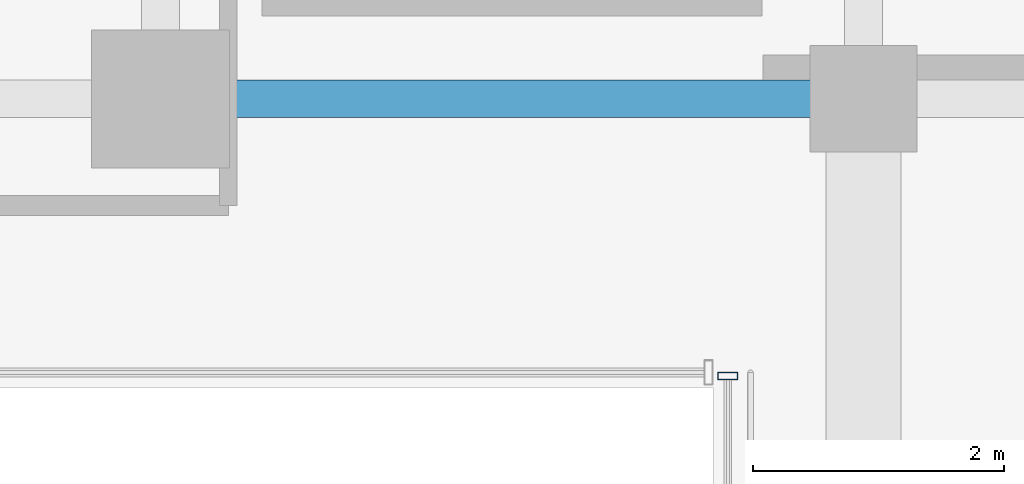
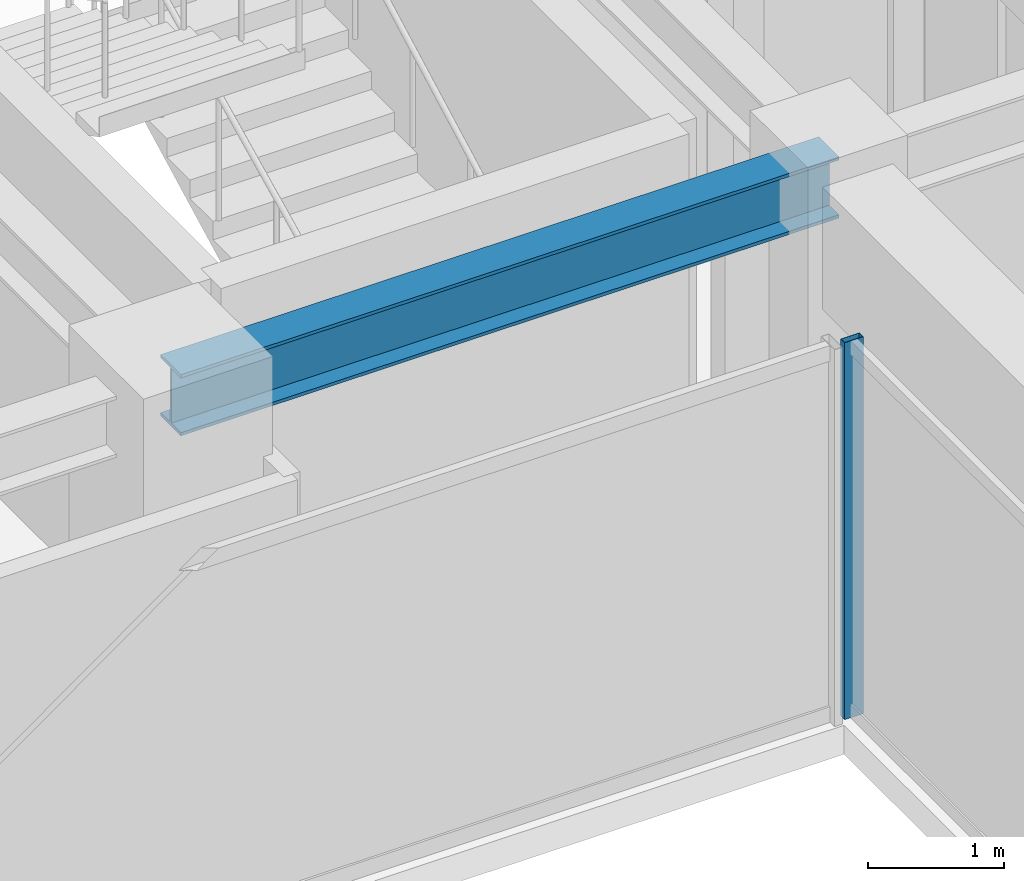
# One storey, part 12 of 38: 1 beam, 1 member, 1 element without a shape of its own.
"""IFC4 building model written with IfcOpenShell, lengths in metres."""

import ifcopenshell
import ifcopenshell.guid

model = None  # the IFC model being written
_history = None  # IfcOwnerHistory: only IFC2X3 demands one
_inside = {}  # id of a spatial element -> (the spatial element, [elements in it])
_under = {}  # id of a project, library or spatial element -> (it, [spatial elements below it])
_declared = {}  # id of a project -> (the project, [libraries it declares])
_typed = {}  # id of a type object -> (the type object, [elements of that type])
_made_of = {}  # id of a material, layer set ... -> (it, [elements and type objects made of it])


def new_model(schema):
    """Start an empty IFC model of exactly this schema.

    Asked for "IFC4X3", IfcOpenShell would pick the latest addendum, in which some entities
    have other attributes; the version numbers below select the first issue.
    IFC2X3 requires an IfcOwnerHistory on every rooted entity: one is made here for all.
    """
    global model, _history
    if schema == "IFC4X3":
        model = ifcopenshell.file(schema_version=(4, 3, 0, 0))
    else:
        model = ifcopenshell.file(schema=schema)
    _inside.clear()
    _under.clear()
    _declared.clear()
    _typed.clear()
    _made_of.clear()
    _history = None
    if model.schema == "IFC2X3":
        org = make("IfcOrganization", Name="unknown")
        user = make(
            "IfcPersonAndOrganization",
            ThePerson=make("IfcPerson", FamilyName="unknown"),
            TheOrganization=org,
        )
        app = make(
            "IfcApplication",
            ApplicationDeveloper=org,
            Version="unknown",
            ApplicationFullName="unknown",
            ApplicationIdentifier="unknown",
        )
        _history = make(
            "IfcOwnerHistory",
            OwningUser=user,
            OwningApplication=app,
            ChangeAction="ADDED",
            CreationDate=0,
        )
    return model


def make(cls, **values):
    """One entity of the class cls with the attributes given. An attribute that is None is left unset."""
    return model.create_entity(
        cls, **{name: value for name, value in values.items() if value is not None}
    )


def rooted(cls, **values):
    """An entity with a GlobalId (a new one), such as an element, a storey or a relation."""
    return make(cls, GlobalId=ifcopenshell.guid.new(), OwnerHistory=_history, **values)


def si_unit(unit_type, name, prefix=None):
    """IfcSIUnit, for example si_unit("LENGTHUNIT", "METRE", prefix="MILLI")."""
    return make("IfcSIUnit", UnitType=unit_type, Prefix=prefix, Name=name)


def assignment(units):
    """IfcUnitAssignment: the units of a project."""
    return None if units is None else make("IfcUnitAssignment", Units=units)


def point(xyz):
    """IfcCartesianPoint."""
    return None if xyz is None else make("IfcCartesianPoint", Coordinates=xyz)


def direction(xyz):
    """IfcDirection."""
    return None if xyz is None else make("IfcDirection", DirectionRatios=xyz)


def frame(location, z_axis=None, x_axis=None):
    """IfcAxis2Placement3D, a coordinate frame: its origin and axes. An axis left out is left unset."""
    return make(
        "IfcAxis2Placement3D",
        Location=point(location),
        Axis=direction(z_axis),
        RefDirection=direction(x_axis),
    )


def frame_2d(location, x_axis=None):
    """IfcAxis2Placement2D, a coordinate frame in the plane: its origin and x axis."""
    return make(
        "IfcAxis2Placement2D", Location=point(location), RefDirection=direction(x_axis)
    )


def origin():
    """The frame at (0, 0, 0) with its axes left unset."""
    return frame((0.0, 0.0, 0.0))


def origin_2d():
    """The frame at (0, 0) in the plane with its x axis left unset."""
    return frame_2d((0.0, 0.0))


def place(relative_to, where):
    """IfcLocalPlacement: puts the frame where relative to a parent placement (None: the world)."""
    return make(
        "IfcLocalPlacement", PlacementRelTo=relative_to, RelativePlacement=where
    )


def context(
    kind, dimensions, precision=None, world=None, true_north=None, identifier=None
):
    """IfcGeometricRepresentationContext, for example the 3D "Model" context."""
    return make(
        "IfcGeometricRepresentationContext",
        ContextIdentifier=identifier,
        ContextType=kind,
        CoordinateSpaceDimension=dimensions,
        Precision=precision,
        WorldCoordinateSystem=world,
        TrueNorth=true_north,
    )


def subcontext(parent, identifier, kind, view, scale=None):
    """IfcGeometricRepresentationSubContext, for example "Body" below "Model"."""
    return make(
        "IfcGeometricRepresentationSubContext",
        ContextIdentifier=identifier,
        ContextType=kind,
        ParentContext=parent,
        TargetScale=scale,
        TargetView=view,
    )


def project(units=None, contexts=None):
    """IfcProject with its units and contexts."""
    return rooted(
        "IfcProject",
        Name="project",
        RepresentationContexts=contexts,
        UnitsInContext=assignment(units),
    )


def spatial(cls, under=None, at=None, **own):
    """A site, building, storey or space (cls), placed at a placement, below another one or the project."""
    s = rooted(cls, ObjectPlacement=at, **own)
    if under is not None:
        _under.setdefault(under.id(), (under, []))[1].append(s)
    return s


def profile(cls, at=None, kind="AREA", **sizes):
    """A parametric profile (cls). Its sizes go by their IFC names, for example OverallWidth=200.0."""
    return make(cls, ProfileType=kind, Position=at, **sizes)


def hollow_rectangle(**sizes):
    """IfcRectangleHollowProfileDef."""
    return profile("IfcRectangleHollowProfileDef", **sizes)


def i_section(**sizes):
    """IfcIShapeProfileDef."""
    return profile("IfcIShapeProfileDef", **sizes)


def extrude(swept, where, along, depth):
    """IfcExtrudedAreaSolid: the profile swept, set in the frame where, extruded along a direction by depth."""
    return make(
        "IfcExtrudedAreaSolid",
        SweptArea=swept,
        Position=where,
        ExtrudedDirection=direction(along),
        Depth=depth,
    )


def shape(context_of_items, identifier, shape_type, items):
    """IfcShapeRepresentation: the items that make up one representation, for example the "Body"."""
    return make(
        "IfcShapeRepresentation",
        ContextOfItems=context_of_items,
        RepresentationIdentifier=identifier,
        RepresentationType=shape_type,
        Items=items,
    )


def source(mapping_origin, context_of_items, identifier, shape_type, items):
    """IfcRepresentationMap: a shape defined once, which mapped items show again and again."""
    return make(
        "IfcRepresentationMap",
        MappingOrigin=mapping_origin,
        MappedRepresentation=shape(context_of_items, identifier, shape_type, items),
    )


def transform(
    local_origin,
    x_axis=None,
    y_axis=None,
    z_axis=None,
    scale=None,
    scale2=None,
    scale3=None,
    uniform=True,
):
    """IfcCartesianTransformationOperator3D, or its non-uniform kind. x_axis, y_axis, z_axis: its Axis1, 2, 3."""
    if uniform:
        return make(
            "IfcCartesianTransformationOperator3D",
            Axis1=direction(x_axis),
            Axis2=direction(y_axis),
            LocalOrigin=point(local_origin),
            Scale=scale,
            Axis3=direction(z_axis),
        )
    return make(
        "IfcCartesianTransformationOperator3DnonUniform",
        Axis1=direction(x_axis),
        Axis2=direction(y_axis),
        LocalOrigin=point(local_origin),
        Scale=scale,
        Axis3=direction(z_axis),
        Scale2=scale2,
        Scale3=scale3,
    )


def mapped(mapping_source, mapping_target):
    """IfcMappedItem: shows the shape of a source again, moved by a transform."""
    return make(
        "IfcMappedItem", MappingSource=mapping_source, MappingTarget=mapping_target
    )


def material(Name=None, Category=None):
    """IfcMaterial."""
    return make("IfcMaterial", Name=Name, Category=Category)


def material_profile(
    of_material, cross_section, Name=None, Category=None, Priority=None
):
    """IfcMaterialProfile: a cross section and its material."""
    return make(
        "IfcMaterialProfile",
        Name=Name,
        Material=of_material,
        Profile=cross_section,
        Priority=Priority,
        Category=Category,
    )


def profile_set(profiles, Name=None, composite=None):
    """IfcMaterialProfileSet."""
    return make(
        "IfcMaterialProfileSet",
        Name=Name,
        MaterialProfiles=profiles,
        CompositeProfile=composite,
    )


def made_of(thing, what):
    """Note that an element or type object is made of a material, layer set ...; save() writes the relation."""
    if what is not None:
        _made_of.setdefault(what.id(), (what, []))[1].append(thing)
    return thing


def type_object(cls, material=None, **own):
    """A type object (cls), such as IfcWallType, which elements share."""
    return made_of(rooted(cls, **own), material)


def element(
    cls,
    number,
    at=None,
    inside=None,
    cuts=None,
    type_object=None,
    material=None,
    context=None,
    identifier="Body",
    shape_type=None,
    held_by="IfcProductDefinitionShape",
    body=None,
    shapes=None,
    **own,
):
    """One element of the class cls, such as IfcWall. Its Tag is "e" and its number.

    at: its placement. inside: the storey or other place that contains it. cuts: it is an
    opening in that element (IfcRelVoidsElement). A single representation is given by context,
    identifier, shape_type and body (its items); several are given by shapes. held_by: the class
    of the entity that holds the representations. save() writes the other relations.
    """
    e = rooted(cls, Tag="e%d" % number, ObjectPlacement=at, **own)
    if body is not None:
        shapes = [shape(context, identifier, shape_type, body)]
    if shapes is not None:
        e.Representation = make(held_by, Representations=shapes)
    if inside is not None:
        _inside.setdefault(inside.id(), (inside, []))[1].append(e)
    if cuts is not None:
        rooted(
            "IfcRelVoidsElement", RelatingBuildingElement=cuts, RelatedOpeningElement=e
        )
    if type_object is not None:
        _typed.setdefault(type_object.id(), (type_object, []))[1].append(e)
    return made_of(e, material)


def aggregate(whole, parts):
    """IfcRelAggregates: a whole, such as a stair, and the parts it consists of."""
    return rooted("IfcRelAggregates", RelatingObject=whole, RelatedObjects=parts)


def save(model, path):
    """Write the relations noted so far, then the file.

    IfcRelAggregates (storeys below a building ...), IfcRelContainedInSpatialStructure (elements
    in a storey), IfcRelDefinesByType, IfcRelAssociatesMaterial and IfcRelDeclares: one each for
    every whole, place, type object, material and project.
    """
    for whole, parts in _under.values():
        aggregate(whole, parts)
    for where, things in _inside.values():
        rooted(
            "IfcRelContainedInSpatialStructure",
            RelatedElements=things,
            RelatingStructure=where,
        )
    for kind, things in _typed.values():
        rooted("IfcRelDefinesByType", RelatedObjects=things, RelatingType=kind)
    for what, things in _made_of.values():
        rooted("IfcRelAssociatesMaterial", RelatedObjects=things, RelatingMaterial=what)
    for by, libraries in _declared.values():
        rooted("IfcRelDeclares", RelatingContext=by, RelatedDefinitions=libraries)
    model.write(path)


model = new_model("IFC4")

# Units and contexts
model_context = context("Model", 3, precision=1e-05, world=origin(), true_north=direction((0.0, 1.0)))
body_context = subcontext(model_context, "Body", "Model", "MODEL_VIEW")
ifc_project = project(units=[si_unit("LENGTHUNIT", "METRE"), si_unit("AREAUNIT", "SQUARE_METRE"), si_unit("VOLUMEUNIT", "CUBIC_METRE"), si_unit("PLANEANGLEUNIT", "RADIAN"), si_unit("MASSUNIT", "GRAM", prefix="KILO")], contexts=[model_context])

# Site, building, storey
site_placement = place(None, origin())
site = spatial("IfcSite", under=ifc_project, at=site_placement, CompositionType="ELEMENT")
building_placement = place(site_placement, origin())
building = spatial("IfcBuilding", under=site, at=building_placement, Name="Nahalor Promenade Grand Hotel", CompositionType="ELEMENT")
storey_placement = place(building_placement, frame((0.0, 0.0, 163.60009765625)))
storey = spatial("IfcBuildingStorey", under=building, at=storey_placement, Name="L41", CompositionType="ELEMENT", Elevation=163.60009765625)

# Beam
ifc_material_1 = material(Name="Steel S355JR", Category="steel")
ifc_material_profile_1 = material_profile(ifc_material_1, i_section(OverallWidth=0.3, OverallDepth=0.55, WebThickness=0.015, FlangeThickness=0.029, at=origin_2d()), Name="HEB 550")
ifc_profile_set_1 = profile_set([ifc_material_profile_1], Name="Steel S355JR")
beam_type = type_object("IfcBeamType", Name="Beam-Girder-HEB550", PredefinedType="BEAM", material=ifc_profile_set_1)
shared_shape_1 = source(origin(), body_context, "Body", "SweptSolid", [
    extrude(i_section(OverallWidth=0.3, OverallDepth=0.55, WebThickness=0.015, FlangeThickness=0.029, at=origin_2d()), origin(), (0.0, 0.0, 1.0), 5.599853515625),
])
beam_placement = place(storey_placement, frame((2.800048828125, 5.39990234375, 3.114990234375), z_axis=(1.0, 0.0, 0.0), x_axis=(0.0, 1.0, 0.0)))
element("IfcBeam", 1, at=beam_placement, inside=storey, type_object=beam_type, Name="BM-L41-GX-2-4", PredefinedType="BEAM", context=body_context, shape_type="MappedRepresentation", body=[
    mapped(shared_shape_1, transform((0.0, 0.0, 0.0), scale=1.0)),
])

# Curtain wall, member
ifc_material_2 = material(Name="Anodised Bronze Aluminium EN AW-6063 T6", Category="aluminium")
curtain_wall_type = type_object("IfcCurtainWallType", Name="CW4 Low-Iron Sky-Gallery Bridge Curtain Wall", PredefinedType="USERDEFINED", material=ifc_material_2)
curtain_wall_placement = place(storey_placement, origin())
curtain_wall = element("IfcCurtainWall", 2, at=curtain_wall_placement, inside=storey, type_object=curtain_wall_type, Name="L41 Curtain Wall CW-L41-BRG-W", ObjectType="UNITISED_CURTAIN_WALL", PredefinedType="USERDEFINED")
ifc_material_profile_2 = material_profile(ifc_material_2, hollow_rectangle(XDim=0.06, YDim=0.16, WallThickness=0.004, at=origin_2d()), Name="CWM 60x160x4")
ifc_profile_set_2 = profile_set([ifc_material_profile_2], Name="Anodised Bronze Aluminium EN AW-6063 T6")
member_type = type_object("IfcMemberType", Name="CWM4 Sky-Gallery Slim Mullion 60x160", PredefinedType="MULLION", material=ifc_profile_set_2)
shared_shape_2 = source(origin(), body_context, "Body", "SweptSolid", [
    extrude(hollow_rectangle(XDim=0.06, YDim=0.16, WallThickness=0.004, at=origin_2d()), origin(), (0.0, 0.0, 1.0), 3.389892578125),
])
member_placement = place(storey_placement, frame((7.320068359375, 3.18994140625, 0.0), z_axis=(0.0, 0.0, 1.0), x_axis=(0.0, 1.0, 0.0)))
member = element("IfcMember", 3, at=member_placement, type_object=member_type, Name="CW-L41-BRG-W Mullion 1", PredefinedType="MULLION", context=body_context, shape_type="MappedRepresentation", body=[
    mapped(shared_shape_2, transform((0.0, 0.0, 0.0), scale=1.0)),
])
aggregate(curtain_wall, [member])

save(model, "model.ifc")
